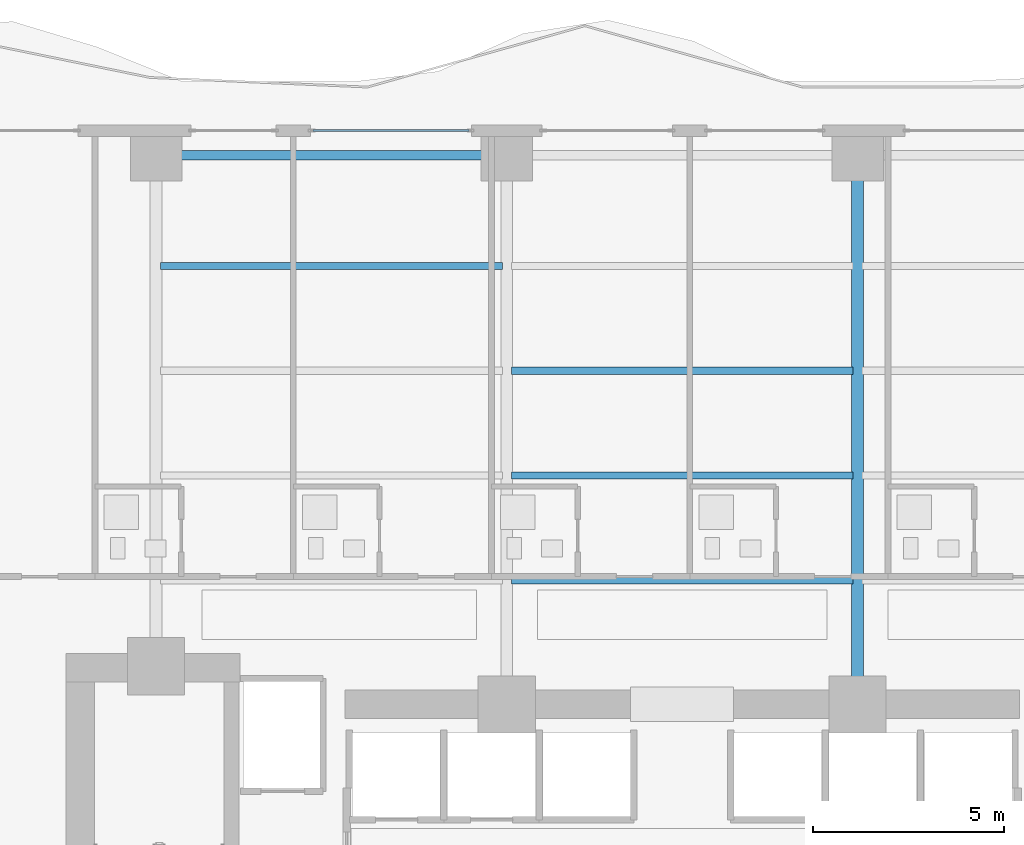
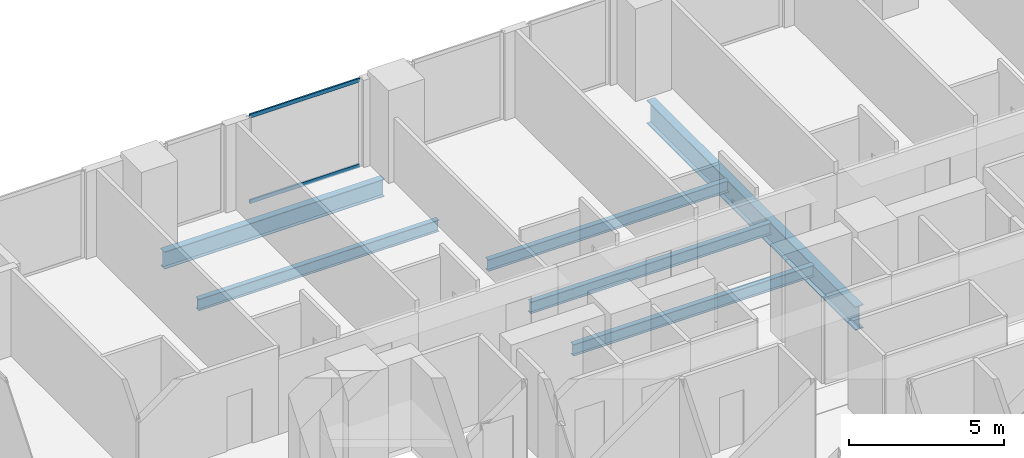
# One storey, part 16 of 28: 6 beams, 2 members, 1 element without a shape of its own.
"""IFC4 building model written with IfcOpenShell, lengths in metres."""

from ifc_helpers import new_model, si_unit, direction, frame, origin, origin_2d, place, context, subcontext, project, spatial, hollow_rectangle, i_section, extrude, material, layer, layer_set, material_profile, profile_set, type_object, element, aggregate, save


model = new_model("IFC4")

# Units and contexts
model_context = context("Model", 3, precision=1e-05, world=origin(), true_north=direction((0.0, 1.0)))
body_context = subcontext(model_context, "Body", "Model", "MODEL_VIEW")
ifc_project = project(units=[si_unit("LENGTHUNIT", "METRE"), si_unit("AREAUNIT", "SQUARE_METRE"), si_unit("VOLUMEUNIT", "CUBIC_METRE"), si_unit("PLANEANGLEUNIT", "RADIAN"), si_unit("MASSUNIT", "GRAM", prefix="KILO")], contexts=[model_context])

# Site, building, storey
site_placement = place(None, origin())
site = spatial("IfcSite", under=ifc_project, at=site_placement, CompositionType="ELEMENT")
building_placement = place(site_placement, origin())
building = spatial("IfcBuilding", under=site, at=building_placement, Name="Zuhayl Quay Hotel", CompositionType="ELEMENT")
storey_placement = place(building_placement, frame((0.0, 0.0, 110.25)))
storey = spatial("IfcBuildingStorey", under=building, at=storey_placement, Name="L27", CompositionType="ELEMENT", Elevation=110.25)

# Beams
ifc_material_1 = material(Name="Steel ASTM A992 Grade 50", Category="steel")
ifc_material_profile_1 = material_profile(ifc_material_1, i_section(OverallWidth=0.25390625, OverallDepth=0.68310546875, WebThickness=0.012451171875, FlangeThickness=0.018798828125, at=origin_2d()), Name="W27X94")
ifc_profile_set_1 = profile_set([ifc_material_profile_1], Name="Steel ASTM A992 Grade 50")
beam_type_1 = type_object("IfcBeamType", Name="BM_B2_W27X94", PredefinedType="BEAM", material=ifc_profile_set_1)
beam_1_placement = place(storey_placement, frame((-5.10009765625, 27.75, -0.5615234375), z_axis=(-1.0, 0.0, 0.0), x_axis=(0.0, -1.0, 0.0)))
element("IfcBeam", 1, at=beam_1_placement, inside=storey, type_object=beam_type_1, Name="L27 Floor Beam RG_L27_09", PredefinedType="BEAM", context=body_context, shape_type="SweptSolid", body=[
    extrude(i_section(OverallWidth=0.25390625, OverallDepth=0.68310546875, WebThickness=0.012451171875, FlangeThickness=0.018798828125, at=origin_2d()), origin(), (0.0, 0.0, 1.0), 8.199951171875),
])
ifc_material_profile_2 = material_profile(ifc_material_1, i_section(OverallWidth=0.18994140625, OverallDepth=0.45703125, WebThickness=0.009033203125, FlangeThickness=0.014404296875, at=origin_2d()), Name="W18X50")
ifc_profile_set_2 = profile_set([ifc_material_profile_2], Name="Steel ASTM A992 Grade 50")
beam_type_2 = type_object("IfcBeamType", Name="BM_J2_W18X50", PredefinedType="JOIST", material=ifc_profile_set_2)
for number, where, z_axis, x_axis, name in (
    (2, (-4.48095703125, 16.60009765625, -0.448486328125), (1.0, 0.0, 0.0), (0.0, 1.0, 0.0), "L27 Floor Beam FJ_L27_1_2"),
    (3, (-4.48095703125, 19.35009765625, -0.448486328125), (1.0, 0.0, 0.0), (0.0, 1.0, 0.0), "L27 Floor Beam FJ_L27_2_2"),
    (4, (-4.48095703125, 22.10009765625, -0.448486328125), (1.0, 0.0, 0.0), (0.0, 1.0, 0.0), "L27 Floor Beam FJ_L27_3_2"),
    (5, (-13.680908203125, 24.85009765625, -0.448486328125), (1.0, 0.0, 0.0), (0.0, 1.0, 0.0), "L27 Floor Beam FJ_L27_4_1"),
):
    element("IfcBeam", number, at=place(storey_placement, frame(where, z_axis=z_axis, x_axis=x_axis)), inside=storey, type_object=beam_type_2, Name=name, PredefinedType="JOIST", context=body_context, shape_type="SweptSolid", body=[
        extrude(i_section(OverallWidth=0.18994140625, OverallDepth=0.45703125, WebThickness=0.009033203125, FlangeThickness=0.014404296875, at=origin_2d()), origin(), (0.0, 0.0, 1.0), 8.9619140625),
    ])
ifc_material_profile_3 = material_profile(ifc_material_1, i_section(OverallWidth=0.306884765625, OverallDepth=0.927001953125, WebThickness=0.019287109375, FlangeThickness=0.031982421875, at=origin_2d()), Name="W36X194")
ifc_profile_set_3 = profile_set([ifc_material_profile_3], Name="Steel ASTM A992 Grade 50")
beam_type_3 = type_object("IfcBeamType", Name="BM_PG2_W36X194", PredefinedType="BEAM", material=ifc_profile_set_3)
beam_2_placement = place(storey_placement, frame((4.60009765625, 13.800048828125, -0.68359375), z_axis=(0.0, 1.0, 0.0), x_axis=(-1.0, 0.0, 0.0)))
element("IfcBeam", 6, at=beam_2_placement, inside=storey, type_object=beam_type_3, Name="L27 Floor Beam FG_N_L27_3", PredefinedType="BEAM", context=body_context, shape_type="SweptSolid", body=[
    extrude(i_section(OverallWidth=0.306884765625, OverallDepth=0.927001953125, WebThickness=0.019287109375, FlangeThickness=0.031982421875, at=origin_2d()), origin(), (0.0, 0.0, 1.0), 13.449951171875),
])

# Curtain wall, members
ifc_material_2 = material(Name="Anodised Aluminium 6063-T6", Category="aluminium")
ifc_layer = layer(ifc_material_2, 0.179931640625, Name="Anodised Aluminium 6063-T6", Category="aluminium")
ifc_layer_set = layer_set([ifc_layer], Name="Anodised Aluminium 6063-T6")
curtain_wall_type = type_object("IfcCurtainWallType", Name="CW_SYS_Z2", PredefinedType="USERDEFINED", material=ifc_layer_set)
curtain_wall_placement = place(storey_placement, origin())
curtain_wall = element("IfcCurtainWall", 7, at=curtain_wall_placement, inside=storey, type_object=curtain_wall_type, Name="L27 Curtain Wall ENV_L27_N_CW3", ObjectType="UNITISED CURTAIN WALL", PredefinedType="USERDEFINED")
ifc_material_3 = material(Name="Black-anodised aluminium 6063-T6", Category="aluminium")
ifc_material_profile_4 = material_profile(ifc_material_3, hollow_rectangle(XDim=0.06005859375, YDim=0.14990234375, WallThickness=0.00341796875, at=origin_2d()), Name="ALU150X60")
ifc_profile_set_4 = profile_set([ifc_material_profile_4], Name="Black-anodised aluminium 6063-T6")
member_type = type_object("IfcMemberType", Name="MB_CW_TRN_150", PredefinedType="USERDEFINED", material=ifc_profile_set_4)
member_1_placement = place(storey_placement, frame((-9.68505859375, 28.39990234375, 0.030029296875), z_axis=(1.0, 0.0, 0.0), x_axis=(0.0, 1.0, 0.0)))
member_1 = element("IfcMember", 8, at=member_1_placement, type_object=member_type, Name="CW-Z2 transom 1.1", ObjectType="TRANSOM", PredefinedType="USERDEFINED", context=body_context, shape_type="SweptSolid", body=[
    extrude(hollow_rectangle(XDim=0.06005859375, YDim=0.14990234375, WallThickness=0.00341796875, at=origin_2d()), origin(), (0.0, 0.0, 1.0), 4.10009765625),
])
member_2_placement = place(storey_placement, frame((-9.68505859375, 28.39990234375, 3.39990234375), z_axis=(1.0, 0.0, 0.0), x_axis=(0.0, 1.0, 0.0)))
member_2 = element("IfcMember", 9, at=member_2_placement, type_object=member_type, Name="CW-Z2 transom 1.2", ObjectType="TRANSOM", PredefinedType="USERDEFINED", context=body_context, shape_type="SweptSolid", body=[
    extrude(hollow_rectangle(XDim=0.06005859375, YDim=0.14990234375, WallThickness=0.00341796875, at=origin_2d()), origin(), (0.0, 0.0, 1.0), 4.10009765625),
])
aggregate(curtain_wall, [member_1, member_2])

save(model, "model.ifc")
